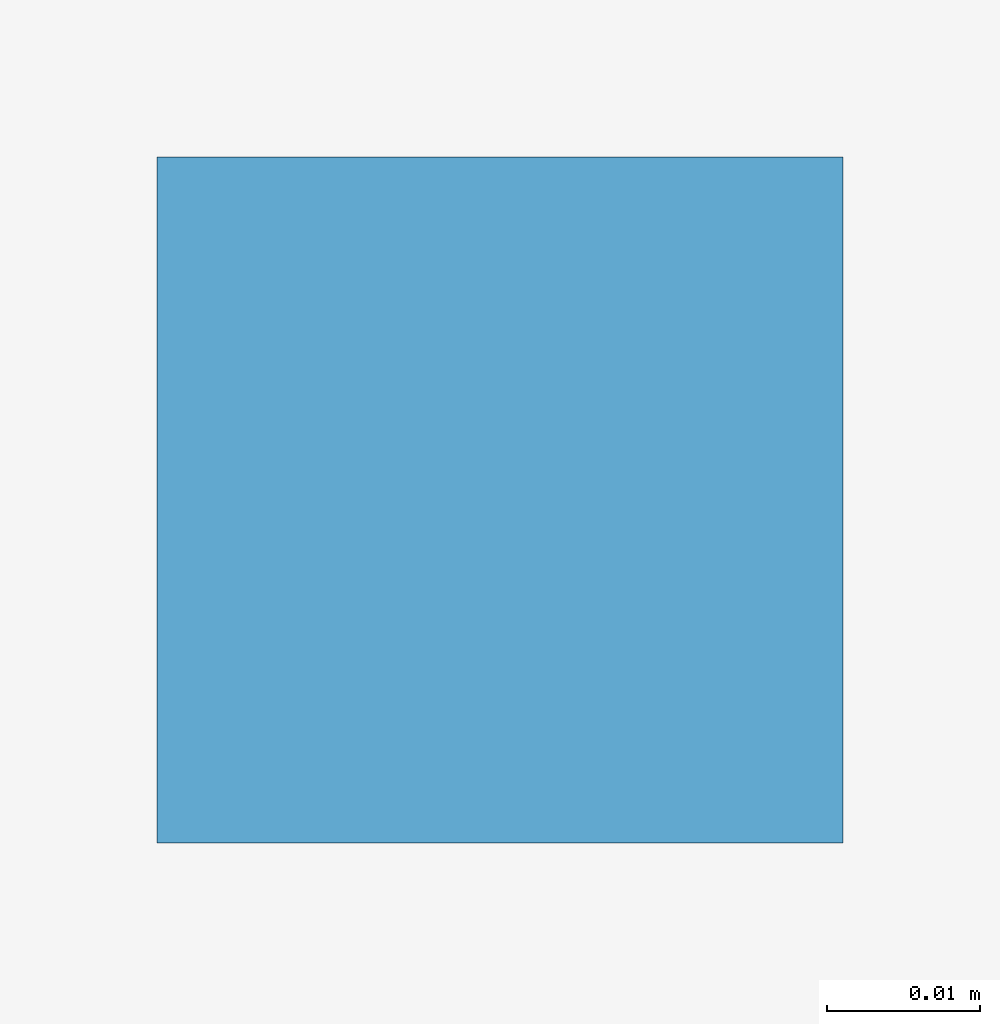
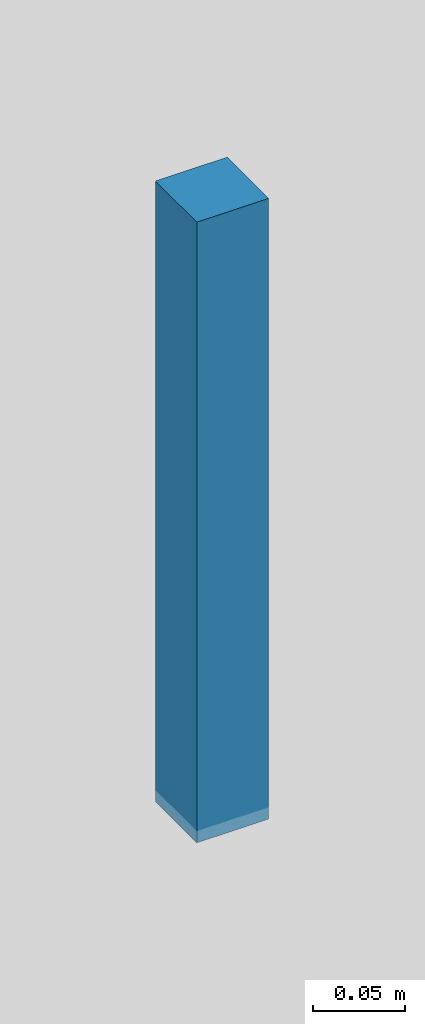
# One storey, part 79 of 95: 1 discrete accessory.
"""IFC4 building model written with IfcOpenShell, lengths in metres."""

from ifc_helpers import new_model, si_unit, derived_unit, direction, frame, origin, origin_2d, place, context, subcontext, project, spatial, rectangle, extrude, material, type_object, element, save


model = new_model("IFC4")

# Units and contexts
model_context = context("Model", 3, precision=1e-05, world=origin(), true_north=direction((0.0, 1.0)))
body_context = subcontext(model_context, "Body", "Model", "MODEL_VIEW")
ifc_project = project(units=[si_unit("LENGTHUNIT", "METRE"), si_unit("AREAUNIT", "SQUARE_METRE"), si_unit("VOLUMEUNIT", "CUBIC_METRE"), si_unit("PLANEANGLEUNIT", "RADIAN"), si_unit("MASSUNIT", "GRAM", prefix="KILO"), derived_unit("THERMALTRANSMITTANCEUNIT", [(si_unit("POWERUNIT", "WATT"), 1), (si_unit("LENGTHUNIT", "METRE"), -2), (si_unit("THERMODYNAMICTEMPERATUREUNIT", "KELVIN"), -1)])], contexts=[model_context])

# Site, building, storey
site_placement = place(None, origin())
site = spatial("IfcSite", under=ifc_project, at=site_placement, CompositionType="ELEMENT")
building_placement = place(site_placement, origin())
building = spatial("IfcBuilding", under=site, at=building_placement, Name="Braskholm Square Health Centre", CompositionType="ELEMENT")
storey_placement = place(building_placement, frame((0.0, 0.0, 4.800048828125)))
storey = spatial("IfcBuildingStorey", under=building, at=storey_placement, Name="L02", CompositionType="ELEMENT", Elevation=4.800048828125)

# Discrete accessory
ifc_material = material(Name="Steel ASTM A500 Grade C", Category="steel")
discrete_accessory_type = type_object("IfcDiscreteAccessoryType", Name="CeilingSuspensionBracket", PredefinedType="BRACKET", material=ifc_material)
discrete_accessory_placement = place(storey_placement, frame((132.800048828125, 91.75, 3.8017578125), z_axis=(0.0, 0.0, 1.0), x_axis=(1.0, 0.0, 0.0)))
element("IfcDiscreteAccessory", 1, at=discrete_accessory_placement, inside=storey, type_object=discrete_accessory_type, Name="Ceiling hanger bracket 0143", PredefinedType="BRACKET", context=body_context, shape_type="SweptSolid", body=[
    extrude(rectangle(XDim=0.044921875, YDim=0.044921875, at=origin_2d()), origin(), (0.0, 0.0, 1.0), 0.409912109375),
])

save(model, "model.ifc")
